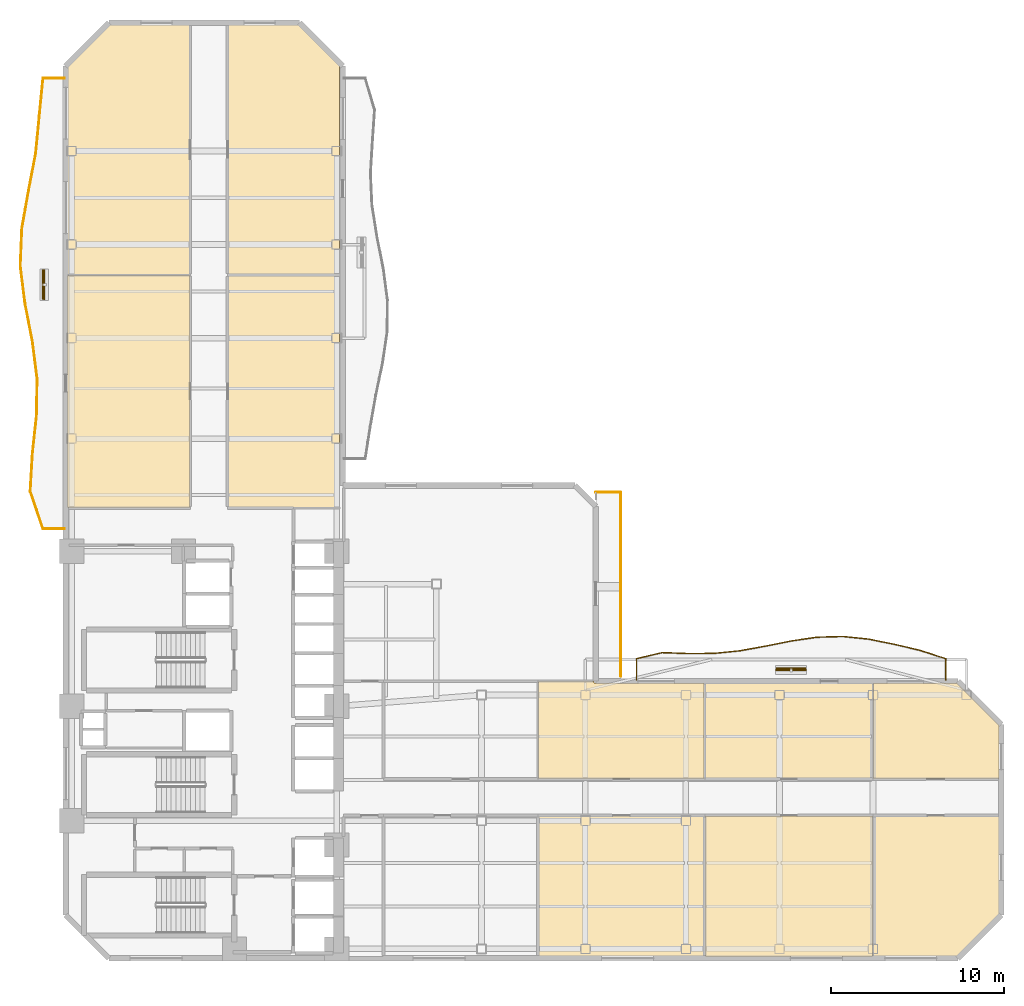
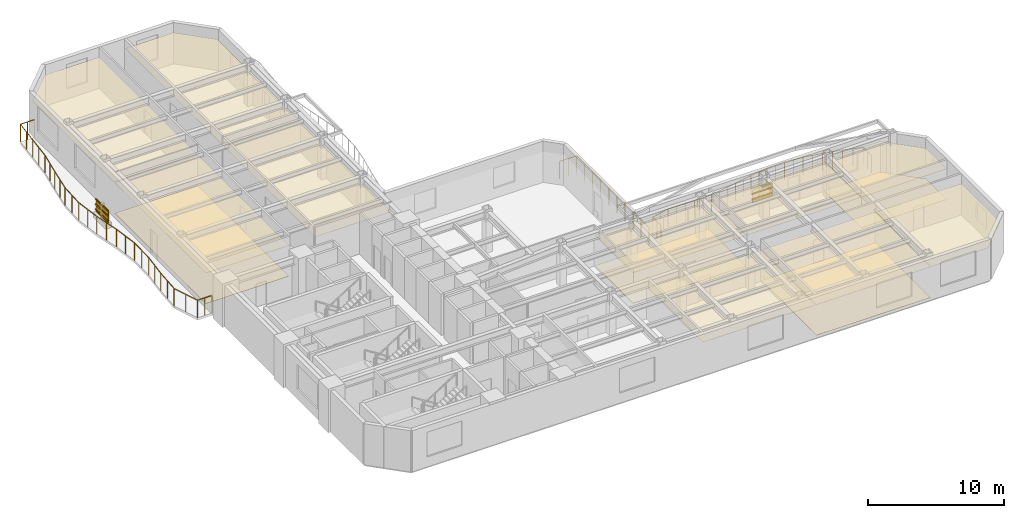
# One storey, part 9 of 10: 14 coverings, 8 shading devices, 4 railings.
"""IFC4 building model written with IfcOpenShell, lengths in metres."""

from ifc_helpers import new_model, si_unit, direction, frame, origin, origin_2d, place, context, subcontext, project, spatial, polyline, rectangle, outline, extrude, material, layer, layer_set, material_profile, profile_set, type_object, element, save


model = new_model("IFC4")

# Units and contexts
model_context = context("Model", 3, precision=1e-05, world=origin(), true_north=direction((0.0, 1.0)))
body_context = subcontext(model_context, "Body", "Model", "MODEL_VIEW")
ifc_project = project(units=[si_unit("LENGTHUNIT", "METRE"), si_unit("AREAUNIT", "SQUARE_METRE"), si_unit("VOLUMEUNIT", "CUBIC_METRE"), si_unit("PLANEANGLEUNIT", "RADIAN"), si_unit("MASSUNIT", "GRAM", prefix="KILO")], contexts=[model_context])

# Site, building, storey
site_placement = place(None, origin())
site = spatial("IfcSite", under=ifc_project, at=site_placement, CompositionType="ELEMENT")
building_placement = place(site_placement, origin())
building = spatial("IfcBuilding", under=site, at=building_placement, Name="Mawjaban Terraces University", CompositionType="ELEMENT")
storey_placement = place(building_placement, frame((0.0, 0.0, 50.5)))
storey = spatial("IfcBuildingStorey", under=building, at=storey_placement, Name="L11", CompositionType="ELEMENT", Elevation=50.5)

# Coverings
ifc_material_1 = material(Name="Acoustic mineral fibre ceiling tile", Category="masonry")
ifc_layer_1 = layer(ifc_material_1, 0.02001953125)
ifc_layer_set_1 = layer_set([ifc_layer_1], Name="Acoustic mineral fibre ceiling tile")
covering_type_1 = type_object("IfcCoveringType", Name="AcousticMineralCeiling_20", PredefinedType="CEILING", material=ifc_layer_set_1)
covering_1_placement = place(storey_placement, frame((0.0, 0.0, 2.75)))
element("IfcCovering", 1, at=covering_1_placement, inside=storey, type_object=covering_type_1, Name="L11 Media Workshop 4 Acoustic Ceiling", PredefinedType="CEILING", context=body_context, shape_type="SweptSolid", body=[
    extrude(outline(polyline([(49.29296875, 0.114990234375), (58.85791015625, 0.114990234375), (58.85791015625, 8.219970703125), (49.29296875, 8.219970703125), (49.29296875, 0.114990234375)])), origin(), (0.0, 0.0, 1.0), 0.02001953125),
])
covering_2_placement = place(storey_placement, frame((0.0, 0.0, 2.75)))
element("IfcCovering", 2, at=covering_2_placement, inside=storey, type_object=covering_type_1, Name="L11 Quiet Reading Room 5 Acoustic Ceiling", PredefinedType="CEILING", context=body_context, shape_type="SweptSolid", body=[
    extrude(outline(polyline([(58.85791015625, 15.885009765625), (52.485107421875, 15.885009765625), (52.485107421875, 15.969970703125), (49.29296875, 15.969970703125), (49.29296875, 10.3798828125), (58.85791015625, 10.3798828125), (58.85791015625, 15.885009765625)])), origin(), (0.0, 0.0, 1.0), 0.02001953125),
])
covering_3_placement = place(storey_placement, frame((0.0, 0.0, 2.75)))
element("IfcCovering", 3, at=covering_3_placement, inside=storey, type_object=covering_type_1, Name="L11 Reading Salon 6 Acoustic Ceiling", PredefinedType="CEILING", context=body_context, shape_type="SweptSolid", body=[
    extrude(outline(polyline([(58.91796875, 0.114990234375), (68.570068359375, 0.114990234375), (68.570068359375, 8.219970703125), (58.91796875, 8.219970703125), (58.91796875, 0.114990234375)])), origin(), (0.0, 0.0, 1.0), 0.02001953125),
])
covering_4_placement = place(storey_placement, frame((0.0, 0.0, 2.75)))
element("IfcCovering", 4, at=covering_4_placement, inside=storey, type_object=covering_type_1, Name="L11 Academic Counseling Room 7 Acoustic Ceiling", PredefinedType="CEILING", context=body_context, shape_type="SweptSolid", body=[
    extrude(outline(polyline([(68.570068359375, 15.885009765625), (58.91796875, 15.885009765625), (58.91796875, 10.3798828125), (68.570068359375, 10.3798828125), (68.570068359375, 15.885009765625)])), origin(), (0.0, 0.0, 1.0), 0.02001953125),
])
covering_5_placement = place(storey_placement, frame((0.0, 0.0, 2.75)))
element("IfcCovering", 5, at=covering_5_placement, inside=storey, type_object=covering_type_1, Name="L11 Academic Counseling Room 8 Acoustic Ceiling", PredefinedType="CEILING", context=body_context, shape_type="SweptSolid", body=[
    extrude(outline(polyline([(68.6298828125, 0.114990234375), (73.452880859375, 0.114990234375), (75.885009765625, 2.547119140625), (75.885009765625, 8.219970703125), (68.6298828125, 8.219970703125), (68.6298828125, 0.114990234375)])), origin(), (0.0, 0.0, 1.0), 0.02001953125),
])
covering_6_placement = place(storey_placement, frame((0.0, 0.0, 2.75)))
element("IfcCovering", 6, at=covering_6_placement, inside=storey, type_object=covering_type_1, Name="L11 Classroom 9 Acoustic Ceiling", PredefinedType="CEILING", context=body_context, shape_type="SweptSolid", body=[
    extrude(outline(polyline([(75.885009765625, 10.3798828125), (75.885009765625, 13.452880859375), (73.452880859375, 15.885009765625), (68.6298828125, 15.885009765625), (68.6298828125, 10.3798828125), (75.885009765625, 10.3798828125)])), origin(), (0.0, 0.0, 1.0), 0.02001953125),
])
covering_7_placement = place(storey_placement, frame((0.0, 0.0, 2.75)))
element("IfcCovering", 7, at=covering_7_placement, inside=storey, type_object=covering_type_1, Name="L11 Seminar Room 10 Acoustic Ceiling", PredefinedType="CEILING", context=body_context, shape_type="SweptSolid", body=[
    extrude(outline(polyline([(22.114990234375, 39.409912109375), (22.114990234375, 26.030029296875), (29.169921875, 26.030029296875), (29.169921875, 39.409912109375), (22.114990234375, 39.409912109375)])), origin(), (0.0, 0.0, 1.0), 0.02001953125),
])
covering_8_placement = place(storey_placement, frame((0.0, 0.0, 2.75)))
element("IfcCovering", 8, at=covering_8_placement, inside=storey, type_object=covering_type_1, Name="L11 Faculty Office 11 Acoustic Ceiling", PredefinedType="CEILING", context=body_context, shape_type="SweptSolid", body=[
    extrude(outline(polyline([(37.820068359375, 26.030029296875), (37.820068359375, 39.409912109375), (31.3798828125, 39.409912109375), (31.3798828125, 26.030029296875), (37.820068359375, 26.030029296875)])), origin(), (0.0, 0.0, 1.0), 0.02001953125),
])
covering_9_placement = place(storey_placement, frame((0.0, 0.0, 2.75)))
element("IfcCovering", 9, at=covering_9_placement, inside=storey, type_object=covering_type_1, Name="L11 Teaching Laboratory 12 Acoustic Ceiling", PredefinedType="CEILING", context=body_context, shape_type="SweptSolid", body=[
    extrude(outline(polyline([(29.169921875, 53.885009765625), (24.547119140625, 53.885009765625), (22.114990234375, 51.452880859375), (22.114990234375, 39.469970703125), (29.169921875, 39.469970703125), (29.169921875, 53.885009765625)])), origin(), (0.0, 0.0, 1.0), 0.02001953125),
])
covering_10_placement = place(storey_placement, frame((0.0, 0.0, 2.75)))
element("IfcCovering", 10, at=covering_10_placement, inside=storey, type_object=covering_type_1, Name="L11 Design Studio 13 Acoustic Ceiling", PredefinedType="CEILING", context=body_context, shape_type="SweptSolid", body=[
    extrude(outline(polyline([(37.820068359375, 51.51806640625), (35.452880859375, 53.885009765625), (31.3798828125, 53.885009765625), (31.3798828125, 39.469970703125), (37.820068359375, 39.469970703125), (37.820068359375, 51.51806640625)])), origin(), (0.0, 0.0, 1.0), 0.02001953125),
])

# Railings
ifc_material_2 = material(Name="Galvanised powder-coated steel S355", Category="steel")
railing_type = type_object("IfcRailingType", Name="BalconyBalustrade_1600", PredefinedType="BALUSTRADE", material=ifc_material_2)
railing_1_placement = place(storey_placement, frame((21.919921875, 24.800048828125, 0.0)))
element("IfcRailing", 11, at=railing_1_placement, inside=storey, type_object=railing_type, Name="L11 Balcony Guardrail west", PredefinedType="BALUSTRADE", context=body_context, shape_type="SweptSolid", body=[
    extrude(rectangle(XDim=0.048095703125, YDim=0.048095703125, at=origin_2d()), frame((0.0, 0.0, 1.576171875), z_axis=(-1.0, 0.0, 0.0), x_axis=(0.0, -1.0, 0.0)), (0.0, 0.0, 1.0), 1.219970703125),
    extrude(rectangle(XDim=0.048095703125, YDim=0.048095703125, at=origin_2d()), frame((-1.219970703125, 0.0, 1.576171875), z_axis=(-0.32076997758, 0.94715712608, 0.0), x_axis=(-0.94715712608, -0.32076997758, 0.0)), (0.0, 0.0, 1.0), 2.287841796875),
    extrude(rectangle(XDim=0.048095703125, YDim=0.048095703125, at=origin_2d()), frame((-1.953857421875, 2.1669921875, 1.576171875), z_axis=(0.057165158423, 0.998364735286, 0.0), x_axis=(-0.998364735286, 0.057165158423, 0.0)), (0.0, 0.0, 1.0), 2.169677734375),
    extrude(rectangle(XDim=0.048095703125, YDim=0.048095703125, at=origin_2d()), frame((-1.829833984375, 4.3330078125, 1.576171875), z_axis=(0.107751142086, 0.994177897249, 0.0), x_axis=(-0.994177897249, 0.107751142086, 0.0)), (0.0, 0.0, 1.0), 2.1796875),
    extrude(rectangle(XDim=0.048095703125, YDim=0.048095703125, at=origin_2d()), frame((-1.594970703125, 6.5, 1.576171875), z_axis=(0.017572770568, 0.999845586946, 0.0), x_axis=(-0.999845586946, 0.017572770568, 0.0)), (0.0, 0.0, 1.0), 2.167236328125),
    extrude(rectangle(XDim=0.048095703125, YDim=0.048095703125, at=origin_2d()), frame((-1.556884765625, 8.6669921875, 1.576171875), z_axis=(-0.126016204068, 0.992028183225, 0.0), x_axis=(-0.992028183225, -0.126016204068, 0.0)), (0.0, 0.0, 1.0), 2.183349609375),
    extrude(rectangle(XDim=0.048095703125, YDim=0.048095703125, at=origin_2d()), frame((-1.83203125, 10.8330078125, 1.576171875), z_axis=(-0.192372709266, 0.981321935315, 0.0), x_axis=(-0.981321935315, -0.192372709266, 0.0)), (0.0, 0.0, 1.0), 2.208251953125),
    extrude(rectangle(XDim=0.048095703125, YDim=0.048095703125, at=origin_2d()), frame((-2.2568359375, 13.0, 1.576171875), z_axis=(-0.123649449448, 0.992325961391, 0.0), x_axis=(-0.992325961391, -0.123649449448, 0.0)), (0.0, 0.0, 1.0), 2.183837890625),
    extrude(rectangle(XDim=0.048095703125, YDim=0.048095703125, at=origin_2d()), frame((-2.52685546875, 15.1669921875, 1.576171875), z_axis=(0.040543732568, 0.999177764839, 0.0), x_axis=(-0.999177764839, 0.040543732568, 0.0)), (0.0, 0.0, 1.0), 2.167724609375),
    extrude(rectangle(XDim=0.048095703125, YDim=0.048095703125, at=origin_2d()), frame((-2.43896484375, 17.3330078125, 1.576171875), z_axis=(0.174500407925, 0.984657101551, 0.0), x_axis=(-0.984657101551, 0.174500407925, 0.0)), (0.0, 0.0, 1.0), 2.20068359375),
    extrude(rectangle(XDim=0.048095703125, YDim=0.048095703125, at=origin_2d()), frame((-2.054931640625, 19.5, 1.576171875), z_axis=(0.188108607076, 0.982148233183, 0.0), x_axis=(-0.982148233183, 0.188108607076, 0.0)), (0.0, 0.0, 1.0), 2.206298828125),
    extrude(rectangle(XDim=0.048095703125, YDim=0.048095703125, at=origin_2d()), frame((-1.639892578125, 21.6669921875, 1.576171875), z_axis=(0.096037346488, 0.995377731356, 0.0), x_axis=(-0.995377731356, 0.096037346488, 0.0)), (0.0, 0.0, 1.0), 2.176025390625),
    extrude(rectangle(XDim=0.048095703125, YDim=0.048095703125, at=origin_2d()), frame((-1.430908203125, 23.8330078125, 1.576171875), z_axis=(0.096883228076, 0.995295755099, 0.0), x_axis=(-0.995295755099, 0.096883228076, 0.0)), (0.0, 0.0, 1.0), 2.17724609375),
    extrude(rectangle(XDim=0.048095703125, YDim=0.048095703125, at=origin_2d()), frame((-1.219970703125, 26.0, 1.576171875), z_axis=(1.0, 0.0, 0.0), x_axis=(0.0, 1.0, 0.0)), (0.0, 0.0, 1.0), 1.219970703125),
    extrude(rectangle(XDim=0.0419921875, YDim=0.0419921875, at=origin_2d()), origin(), (0.0, 0.0, 1.0), 1.552001953125),
    extrude(rectangle(XDim=0.0419921875, YDim=0.0419921875, at=origin_2d()), frame((-0.60986328125, 0.0, 0.0)), (0.0, 0.0, 1.0), 1.552001953125),
    extrude(rectangle(XDim=0.0419921875, YDim=0.0419921875, at=origin_2d()), frame((-1.219970703125, 0.0, 0.0)), (0.0, 0.0, 1.0), 1.552001953125),
    extrude(rectangle(XDim=0.0419921875, YDim=0.0419921875, at=origin_2d()), frame((-1.5869140625, 1.08349609375, 0.0)), (0.0, 0.0, 1.0), 1.552001953125),
    extrude(rectangle(XDim=0.0419921875, YDim=0.0419921875, at=origin_2d()), frame((-1.953857421875, 2.1669921875, 0.0)), (0.0, 0.0, 1.0), 1.552001953125),
    extrude(rectangle(XDim=0.0419921875, YDim=0.0419921875, at=origin_2d()), frame((-1.891845703125, 3.25, 0.0)), (0.0, 0.0, 1.0), 1.552001953125),
    extrude(rectangle(XDim=0.0419921875, YDim=0.0419921875, at=origin_2d()), frame((-1.829833984375, 4.3330078125, 0.0)), (0.0, 0.0, 1.0), 1.552001953125),
    extrude(rectangle(XDim=0.0419921875, YDim=0.0419921875, at=origin_2d()), frame((-1.71240234375, 5.41650390625, 0.0)), (0.0, 0.0, 1.0), 1.552001953125),
    extrude(rectangle(XDim=0.0419921875, YDim=0.0419921875, at=origin_2d()), frame((-1.594970703125, 6.5, 0.0)), (0.0, 0.0, 1.0), 1.552001953125),
    extrude(rectangle(XDim=0.0419921875, YDim=0.0419921875, at=origin_2d()), frame((-1.575927734375, 7.58349609375, 0.0)), (0.0, 0.0, 1.0), 1.552001953125),
    extrude(rectangle(XDim=0.0419921875, YDim=0.0419921875, at=origin_2d()), frame((-1.556884765625, 8.6669921875, 0.0)), (0.0, 0.0, 1.0), 1.552001953125),
    extrude(rectangle(XDim=0.0419921875, YDim=0.0419921875, at=origin_2d()), frame((-1.6943359375, 9.75, 0.0)), (0.0, 0.0, 1.0), 1.552001953125),
    extrude(rectangle(XDim=0.0419921875, YDim=0.0419921875, at=origin_2d()), frame((-1.83203125, 10.8330078125, 0.0)), (0.0, 0.0, 1.0), 1.552001953125),
    extrude(rectangle(XDim=0.0419921875, YDim=0.0419921875, at=origin_2d()), frame((-2.04443359375, 11.91650390625, 0.0)), (0.0, 0.0, 1.0), 1.552001953125),
    extrude(rectangle(XDim=0.0419921875, YDim=0.0419921875, at=origin_2d()), frame((-2.2568359375, 13.0, 0.0)), (0.0, 0.0, 1.0), 1.552001953125),
    extrude(rectangle(XDim=0.0419921875, YDim=0.0419921875, at=origin_2d()), frame((-2.391845703125, 14.08349609375, 0.0)), (0.0, 0.0, 1.0), 1.552001953125),
    extrude(rectangle(XDim=0.0419921875, YDim=0.0419921875, at=origin_2d()), frame((-2.52685546875, 15.1669921875, 0.0)), (0.0, 0.0, 1.0), 1.552001953125),
    extrude(rectangle(XDim=0.0419921875, YDim=0.0419921875, at=origin_2d()), frame((-2.48291015625, 16.25, 0.0)), (0.0, 0.0, 1.0), 1.552001953125),
    extrude(rectangle(XDim=0.0419921875, YDim=0.0419921875, at=origin_2d()), frame((-2.43896484375, 17.3330078125, 0.0)), (0.0, 0.0, 1.0), 1.552001953125),
    extrude(rectangle(XDim=0.0419921875, YDim=0.0419921875, at=origin_2d()), frame((-2.2470703125, 18.41650390625, 0.0)), (0.0, 0.0, 1.0), 1.552001953125),
    extrude(rectangle(XDim=0.0419921875, YDim=0.0419921875, at=origin_2d()), frame((-2.054931640625, 19.5, 0.0)), (0.0, 0.0, 1.0), 1.552001953125),
    extrude(rectangle(XDim=0.0419921875, YDim=0.0419921875, at=origin_2d()), frame((-1.847412109375, 20.58349609375, 0.0)), (0.0, 0.0, 1.0), 1.552001953125),
    extrude(rectangle(XDim=0.0419921875, YDim=0.0419921875, at=origin_2d()), frame((-1.639892578125, 21.6669921875, 0.0)), (0.0, 0.0, 1.0), 1.552001953125),
    extrude(rectangle(XDim=0.0419921875, YDim=0.0419921875, at=origin_2d()), frame((-1.535400390625, 22.75, 0.0)), (0.0, 0.0, 1.0), 1.552001953125),
    extrude(rectangle(XDim=0.0419921875, YDim=0.0419921875, at=origin_2d()), frame((-1.430908203125, 23.8330078125, 0.0)), (0.0, 0.0, 1.0), 1.552001953125),
    extrude(rectangle(XDim=0.0419921875, YDim=0.0419921875, at=origin_2d()), frame((-1.325439453125, 24.91650390625, 0.0)), (0.0, 0.0, 1.0), 1.552001953125),
    extrude(rectangle(XDim=0.0419921875, YDim=0.0419921875, at=origin_2d()), frame((-1.219970703125, 26.0, 0.0)), (0.0, 0.0, 1.0), 1.552001953125),
    extrude(rectangle(XDim=0.0419921875, YDim=0.0419921875, at=origin_2d()), frame((-0.60986328125, 26.0, 0.0)), (0.0, 0.0, 1.0), 1.552001953125),
    extrude(rectangle(XDim=0.0419921875, YDim=0.0419921875, at=origin_2d()), frame((0.0, 26.0, 0.0)), (0.0, 0.0, 1.0), 1.552001953125),
])
railing_2_placement = place(storey_placement, frame((54.949951171875, 16.080078125, 0.0)))
element("IfcRailing", 12, at=railing_2_placement, inside=storey, type_object=railing_type, Name="L11 Balcony Guardrail inner_north", PredefinedType="BALUSTRADE", context=body_context, shape_type="SweptSolid", body=[
    extrude(rectangle(XDim=0.048095703125, YDim=0.048095703125, at=origin_2d()), frame((0.0, 0.0, 1.576171875), z_axis=(0.0, 1.0, 0.0), x_axis=(-1.0, 0.0, 0.0)), (0.0, 0.0, 1.0), 1.219970703125),
    extrude(rectangle(XDim=0.048095703125, YDim=0.048095703125, at=origin_2d()), frame((0.0, 1.219970703125, 1.576171875), z_axis=(0.973135852733, 0.230231648834, 0.0), x_axis=(-0.230231648834, 0.973135852733, 0.0)), (0.0, 0.0, 1.0), 1.529052734375),
    extrude(rectangle(XDim=0.048095703125, YDim=0.048095703125, at=origin_2d()), frame((1.488037109375, 1.572021484375, 1.576171875), z_axis=(0.999312359344, -0.037078409656, 0.0), x_axis=(0.037078409656, 0.999312359344, 0.0)), (0.0, 0.0, 1.0), 1.488037109375),
    extrude(rectangle(XDim=0.048095703125, YDim=0.048095703125, at=origin_2d()), frame((2.97509765625, 1.516845703125, 1.576171875), z_axis=(0.999981574723, 0.006070437779, 0.0), x_axis=(-0.006070437779, 0.999981574723, 0.0)), (0.0, 0.0, 1.0), 1.488037109375),
    extrude(rectangle(XDim=0.048095703125, YDim=0.048095703125, at=origin_2d()), frame((4.463134765625, 1.52587890625, 1.576171875), z_axis=(0.995021000224, 0.099665486065, 0.0), x_axis=(-0.099665486065, 0.995021000224, 0.0)), (0.0, 0.0, 1.0), 1.494140625),
    extrude(rectangle(XDim=0.048095703125, YDim=0.048095703125, at=origin_2d()), frame((5.949951171875, 1.6748046875, 1.576171875), z_axis=(0.984045094662, 0.177919227944, 0.0), x_axis=(-0.177919227944, 0.984045094662, 0.0)), (0.0, 0.0, 1.0), 1.51220703125),
    extrude(rectangle(XDim=0.048095703125, YDim=0.048095703125, at=origin_2d()), frame((7.43798828125, 1.94384765625, 1.576171875), z_axis=(0.980245005349, 0.197787081197, 0.0), x_axis=(-0.197787081197, 0.980245005349, 0.0)), (0.0, 0.0, 1.0), 1.51708984375),
    extrude(rectangle(XDim=0.048095703125, YDim=0.048095703125, at=origin_2d()), frame((8.925048828125, 2.243896484375, 1.576171875), z_axis=(0.989608728332, 0.143786525131, 0.0), x_axis=(-0.143786525131, 0.989608728332, 0.0)), (0.0, 0.0, 1.0), 1.502685546875),
    extrude(rectangle(XDim=0.048095703125, YDim=0.048095703125, at=origin_2d()), frame((10.412109375, 2.4599609375, 1.576171875), z_axis=(0.999583345163, 0.028864096595, 0.0), x_axis=(-0.028864096595, 0.999583345163, 0.0)), (0.0, 0.0, 1.0), 1.48876953125),
    extrude(rectangle(XDim=0.048095703125, YDim=0.048095703125, at=origin_2d()), frame((11.900146484375, 2.5029296875, 1.576171875), z_axis=(0.994814947194, -0.101701626535, 0.0), x_axis=(0.101701626535, 0.994814947194, 0.0)), (0.0, 0.0, 1.0), 1.49560546875),
    extrude(rectangle(XDim=0.048095703125, YDim=0.048095703125, at=origin_2d()), frame((13.387939453125, 2.350830078125, 1.576171875), z_axis=(0.980400733725, -0.197013708435, 0.0), x_axis=(0.197013708435, 0.980400733725, 0.0)), (0.0, 0.0, 1.0), 1.516845703125),
    extrude(rectangle(XDim=0.048095703125, YDim=0.048095703125, at=origin_2d()), frame((14.875, 2.052001953125, 1.576171875), z_axis=(0.973245060976, -0.229769561268, 0.0), x_axis=(0.229769561268, 0.973245060976, 0.0)), (0.0, 0.0, 1.0), 1.52783203125),
    extrude(rectangle(XDim=0.048095703125, YDim=0.048095703125, at=origin_2d()), frame((16.362060546875, 1.700927734375, 1.576171875), z_axis=(0.951531890931, -0.307550094362, 0.0), x_axis=(0.307550094362, 0.951531890931, 0.0)), (0.0, 0.0, 1.0), 1.563720703125),
    extrude(rectangle(XDim=0.048095703125, YDim=0.048095703125, at=origin_2d()), frame((17.85009765625, 1.219970703125, 1.576171875), z_axis=(0.0, -1.0, 0.0), x_axis=(1.0, 0.0, 0.0)), (0.0, 0.0, 1.0), 1.219970703125),
    extrude(rectangle(XDim=0.0419921875, YDim=0.0419921875, at=origin_2d()), origin(), (0.0, 0.0, 1.0), 1.552001953125),
    extrude(rectangle(XDim=0.0419921875, YDim=0.0419921875, at=origin_2d()), frame((0.0, 0.60986328125, 0.0)), (0.0, 0.0, 1.0), 1.552001953125),
    extrude(rectangle(XDim=0.0419921875, YDim=0.0419921875, at=origin_2d()), frame((0.0, 1.219970703125, 0.0)), (0.0, 0.0, 1.0), 1.552001953125),
    extrude(rectangle(XDim=0.0419921875, YDim=0.0419921875, at=origin_2d()), frame((0.744140625, 1.39599609375, 0.0)), (0.0, 0.0, 1.0), 1.552001953125),
    extrude(rectangle(XDim=0.0419921875, YDim=0.0419921875, at=origin_2d()), frame((1.488037109375, 1.572021484375, 0.0)), (0.0, 0.0, 1.0), 1.552001953125),
    extrude(rectangle(XDim=0.0419921875, YDim=0.0419921875, at=origin_2d()), frame((2.2314453125, 1.54443359375, 0.0)), (0.0, 0.0, 1.0), 1.552001953125),
    extrude(rectangle(XDim=0.0419921875, YDim=0.0419921875, at=origin_2d()), frame((2.97509765625, 1.516845703125, 0.0)), (0.0, 0.0, 1.0), 1.552001953125),
    extrude(rectangle(XDim=0.0419921875, YDim=0.0419921875, at=origin_2d()), frame((3.71923828125, 1.521484375, 0.0)), (0.0, 0.0, 1.0), 1.552001953125),
    extrude(rectangle(XDim=0.0419921875, YDim=0.0419921875, at=origin_2d()), frame((4.463134765625, 1.52587890625, 0.0)), (0.0, 0.0, 1.0), 1.552001953125),
    extrude(rectangle(XDim=0.0419921875, YDim=0.0419921875, at=origin_2d()), frame((5.20654296875, 1.600341796875, 0.0)), (0.0, 0.0, 1.0), 1.552001953125),
    extrude(rectangle(XDim=0.0419921875, YDim=0.0419921875, at=origin_2d()), frame((5.949951171875, 1.6748046875, 0.0)), (0.0, 0.0, 1.0), 1.552001953125),
    extrude(rectangle(XDim=0.0419921875, YDim=0.0419921875, at=origin_2d()), frame((6.69384765625, 1.809326171875, 0.0)), (0.0, 0.0, 1.0), 1.552001953125),
    extrude(rectangle(XDim=0.0419921875, YDim=0.0419921875, at=origin_2d()), frame((7.43798828125, 1.94384765625, 0.0)), (0.0, 0.0, 1.0), 1.552001953125),
    extrude(rectangle(XDim=0.0419921875, YDim=0.0419921875, at=origin_2d()), frame((8.181640625, 2.09375, 0.0)), (0.0, 0.0, 1.0), 1.552001953125),
    extrude(rectangle(XDim=0.0419921875, YDim=0.0419921875, at=origin_2d()), frame((8.925048828125, 2.243896484375, 0.0)), (0.0, 0.0, 1.0), 1.552001953125),
    extrude(rectangle(XDim=0.0419921875, YDim=0.0419921875, at=origin_2d()), frame((9.66845703125, 2.35205078125, 0.0)), (0.0, 0.0, 1.0), 1.552001953125),
    extrude(rectangle(XDim=0.0419921875, YDim=0.0419921875, at=origin_2d()), frame((10.412109375, 2.4599609375, 0.0)), (0.0, 0.0, 1.0), 1.552001953125),
    extrude(rectangle(XDim=0.0419921875, YDim=0.0419921875, at=origin_2d()), frame((11.15625, 2.4814453125, 0.0)), (0.0, 0.0, 1.0), 1.552001953125),
    extrude(rectangle(XDim=0.0419921875, YDim=0.0419921875, at=origin_2d()), frame((11.900146484375, 2.5029296875, 0.0)), (0.0, 0.0, 1.0), 1.552001953125),
    extrude(rectangle(XDim=0.0419921875, YDim=0.0419921875, at=origin_2d()), frame((12.64404296875, 2.4267578125, 0.0)), (0.0, 0.0, 1.0), 1.552001953125),
    extrude(rectangle(XDim=0.0419921875, YDim=0.0419921875, at=origin_2d()), frame((13.387939453125, 2.350830078125, 0.0)), (0.0, 0.0, 1.0), 1.552001953125),
    extrude(rectangle(XDim=0.0419921875, YDim=0.0419921875, at=origin_2d()), frame((14.13134765625, 2.201416015625, 0.0)), (0.0, 0.0, 1.0), 1.552001953125),
    extrude(rectangle(XDim=0.0419921875, YDim=0.0419921875, at=origin_2d()), frame((14.875, 2.052001953125, 0.0)), (0.0, 0.0, 1.0), 1.552001953125),
    extrude(rectangle(XDim=0.0419921875, YDim=0.0419921875, at=origin_2d()), frame((15.61865234375, 1.87646484375, 0.0)), (0.0, 0.0, 1.0), 1.552001953125),
    extrude(rectangle(XDim=0.0419921875, YDim=0.0419921875, at=origin_2d()), frame((16.362060546875, 1.700927734375, 0.0)), (0.0, 0.0, 1.0), 1.552001953125),
    extrude(rectangle(XDim=0.0419921875, YDim=0.0419921875, at=origin_2d()), frame((17.10595703125, 1.46044921875, 0.0)), (0.0, 0.0, 1.0), 1.552001953125),
    extrude(rectangle(XDim=0.0419921875, YDim=0.0419921875, at=origin_2d()), frame((17.85009765625, 1.219970703125, 0.0)), (0.0, 0.0, 1.0), 1.552001953125),
    extrude(rectangle(XDim=0.0419921875, YDim=0.0419921875, at=origin_2d()), frame((17.85009765625, 0.60986328125, 0.0)), (0.0, 0.0, 1.0), 1.552001953125),
    extrude(rectangle(XDim=0.0419921875, YDim=0.0419921875, at=origin_2d()), frame((17.85009765625, 0.0, 0.0)), (0.0, 0.0, 1.0), 1.552001953125),
])
railing_3_placement = place(storey_placement, frame((54.050048828125, 16.280029296875, 0.0)))
element("IfcRailing", 13, at=railing_3_placement, inside=storey, type_object=railing_type, Name="L11 Terrace Guardrail TER-L11-CLIMB.1", PredefinedType="BALUSTRADE", context=body_context, shape_type="SweptSolid", body=[
    extrude(rectangle(XDim=0.048095703125, YDim=0.048095703125, at=origin_2d()), frame((0.0, 0.0, 1.576171875), z_axis=(0.0, 1.0, 0.0), x_axis=(-1.0, 0.0, 0.0)), (0.0, 0.0, 1.0), 10.614990234375),
    extrude(rectangle(XDim=0.0419921875, YDim=0.0419921875, at=origin_2d()), origin(), (0.0, 0.0, 1.0), 1.552001953125),
    extrude(rectangle(XDim=0.0419921875, YDim=0.0419921875, at=origin_2d()), frame((0.0, 1.179443359375, 0.0)), (0.0, 0.0, 1.0), 1.552001953125),
    extrude(rectangle(XDim=0.0419921875, YDim=0.0419921875, at=origin_2d()), frame((0.0, 2.35888671875, 0.0)), (0.0, 0.0, 1.0), 1.552001953125),
    extrude(rectangle(XDim=0.0419921875, YDim=0.0419921875, at=origin_2d()), frame((0.0, 3.538330078125, 0.0)), (0.0, 0.0, 1.0), 1.552001953125),
    extrude(rectangle(XDim=0.0419921875, YDim=0.0419921875, at=origin_2d()), frame((0.0, 4.7177734375, 0.0)), (0.0, 0.0, 1.0), 1.552001953125),
    extrude(rectangle(XDim=0.0419921875, YDim=0.0419921875, at=origin_2d()), frame((0.0, 5.897216796875, 0.0)), (0.0, 0.0, 1.0), 1.552001953125),
    extrude(rectangle(XDim=0.0419921875, YDim=0.0419921875, at=origin_2d()), frame((0.0, 7.07666015625, 0.0)), (0.0, 0.0, 1.0), 1.552001953125),
    extrude(rectangle(XDim=0.0419921875, YDim=0.0419921875, at=origin_2d()), frame((0.0, 8.256103515625, 0.0)), (0.0, 0.0, 1.0), 1.552001953125),
    extrude(rectangle(XDim=0.0419921875, YDim=0.0419921875, at=origin_2d()), frame((0.0, 9.435546875, 0.0)), (0.0, 0.0, 1.0), 1.552001953125),
    extrude(rectangle(XDim=0.0419921875, YDim=0.0419921875, at=origin_2d()), frame((0.0, 10.614990234375, 0.0)), (0.0, 0.0, 1.0), 1.552001953125),
])
railing_4_placement = place(storey_placement, frame((54.050048828125, 26.89501953125, 0.0)))
element("IfcRailing", 14, at=railing_4_placement, inside=storey, type_object=railing_type, Name="L11 Terrace Guardrail TER-L11-CLIMB.2", PredefinedType="BALUSTRADE", context=body_context, shape_type="SweptSolid", body=[
    extrude(rectangle(XDim=0.048095703125, YDim=0.048095703125, at=origin_2d()), frame((0.0, 0.0, 1.576171875), z_axis=(-1.0, 0.0, 0.0), x_axis=(0.0, -1.0, 0.0)), (0.0, 0.0, 1.0), 1.449951171875),
    extrude(rectangle(XDim=0.0419921875, YDim=0.0419921875, at=origin_2d()), origin(), (0.0, 0.0, 1.0), 1.552001953125),
    extrude(rectangle(XDim=0.0419921875, YDim=0.0419921875, at=origin_2d()), frame((-0.72509765625, 0.0, 0.0)), (0.0, 0.0, 1.0), 1.552001953125),
    extrude(rectangle(XDim=0.0419921875, YDim=0.0419921875, at=origin_2d()), frame((-1.449951171875, 0.0, 0.0)), (0.0, 0.0, 1.0), 1.552001953125),
])

# Shading devices
ifc_material_3 = material(Name="Glazed architectural terracotta ceramic", Category="masonry")
ifc_material_profile = material_profile(ifc_material_3, rectangle(XDim=0.06494140625, YDim=0.110107421875, at=origin_2d()), Name="TBAG110X65")
ifc_profile_set = profile_set([ifc_material_profile], Name="Glazed architectural terracotta ceramic")
shading_device_type_1 = type_object("IfcShadingDeviceType", Name="TerracottaBaguette_110x65", PredefinedType="USERDEFINED", material=ifc_profile_set)
for number, where, z_axis, x_axis, name in (
    (15, (20.68408203125, 38.032958984375, 0.679931640625), (0.0, 1.0, 0.0), (-1.0, 0.0, 0.0), "L11 Horizontal Terracotta Baguette west.1"),
    (16, (20.68408203125, 38.032958984375, 1.14990234375), (0.0, 1.0, 0.0), (-1.0, 0.0, 0.0), "L11 Horizontal Terracotta Baguette west.2"),
    (17, (20.68408203125, 38.032958984375, 1.6201171875), (0.0, 1.0, 0.0), (-1.0, 0.0, 0.0), "L11 Horizontal Terracotta Baguette west.3"),
):
    element("IfcShadingDevice", number, at=place(storey_placement, frame(where, z_axis=z_axis, x_axis=x_axis)), inside=storey, type_object=shading_device_type_1, Name=name, ObjectType="BAGUETTE", PredefinedType="USERDEFINED", context=body_context, shape_type="SweptSolid", body=[
        extrude(rectangle(XDim=0.06494140625, YDim=0.110107421875, at=origin_2d()), origin(), (0.0, 0.0, 1.0), 1.699951171875),
    ])
for number, where, z_axis, x_axis, name in (
    (18, (63.02490234375, 16.72998046875, 0.679931640625), (1.0, 0.0, 0.0), (0.0, 1.0, 0.0), "L11 Horizontal Terracotta Baguette inner_north.1"),
    (19, (63.02490234375, 16.72998046875, 1.14990234375), (1.0, 0.0, 0.0), (0.0, 1.0, 0.0), "L11 Horizontal Terracotta Baguette inner_north.2"),
    (20, (63.02490234375, 16.72998046875, 1.6201171875), (1.0, 0.0, 0.0), (0.0, 1.0, 0.0), "L11 Horizontal Terracotta Baguette inner_north.3"),
):
    element("IfcShadingDevice", number, at=place(storey_placement, frame(where, z_axis=z_axis, x_axis=x_axis)), inside=storey, type_object=shading_device_type_1, Name=name, ObjectType="BAGUETTE", PredefinedType="USERDEFINED", context=body_context, shape_type="SweptSolid", body=[
        extrude(rectangle(XDim=0.06494140625, YDim=0.110107421875, at=origin_2d()), origin(), (0.0, 0.0, 1.0), 1.7001953125),
    ])
ifc_layer_2 = layer(ifc_material_3, 0.080078125)
ifc_layer_set_2 = layer_set([ifc_layer_2], Name="Glazed architectural terracotta ceramic")
shading_device_type_2 = type_object("IfcShadingDeviceType", Name="TerracottaScreen_Perforated", PredefinedType="USERDEFINED", material=ifc_layer_set_2)
for number, where, z_axis, x_axis, name in (
    (21, (20.76904296875, 38.883056640625, 0.43994140625), (0.0, 0.0, 1.0), (0.0, 1.0, 0.0), "L11 Balcony Perforated Terracotta Screen west"),
    (22, (63.875, 16.64501953125, 0.43994140625), (0.0, 0.0, 1.0), (1.0, 0.0, 0.0), "L11 Balcony Perforated Terracotta Screen inner_north"),
):
    element("IfcShadingDevice", number, at=place(storey_placement, frame(where, z_axis=z_axis, x_axis=x_axis)), inside=storey, type_object=shading_device_type_2, Name=name, ObjectType="SCREEN", PredefinedType="USERDEFINED", context=body_context, shape_type="SweptSolid", body=[
        extrude(rectangle(XDim=1.75, YDim=0.080078125, at=origin_2d()), origin(), (0.0, 0.0, 1.0), 1.14990234375),
    ])

# Coverings
ifc_material_4 = material(Name="Polished Hijazi granite terrazzo flooring", Category="masonry")
ifc_layer_3 = layer(ifc_material_4, 0.02490234375)
ifc_layer_set_3 = layer_set([ifc_layer_3], Name="Polished Hijazi granite terrazzo flooring")
covering_type_2 = type_object("IfcCoveringType", Name="TerrazzoConcourseFlooring_25", PredefinedType="FLOORING", material=ifc_layer_set_3)
covering_11_placement = place(storey_placement, origin())
element("IfcCovering", 23, at=covering_11_placement, inside=storey, type_object=covering_type_2, Name="L11 Quiet Reading Room 5 Terrazzo Flooring", PredefinedType="FLOORING", context=body_context, shape_type="SweptSolid", body=[
    extrude(outline(polyline([(58.85791015625, 15.885009765625), (52.485107421875, 15.885009765625), (52.485107421875, 15.969970703125), (49.29296875, 15.969970703125), (49.29296875, 10.3798828125), (58.85791015625, 10.3798828125), (58.85791015625, 15.885009765625)])), origin(), (0.0, 0.0, 1.0), 0.02490234375),
])
covering_12_placement = place(storey_placement, origin())
element("IfcCovering", 24, at=covering_12_placement, inside=storey, type_object=covering_type_2, Name="L11 Reading Salon 6 Terrazzo Flooring", PredefinedType="FLOORING", context=body_context, shape_type="SweptSolid", body=[
    extrude(outline(polyline([(58.91796875, 0.114990234375), (68.570068359375, 0.114990234375), (68.570068359375, 8.219970703125), (58.91796875, 8.219970703125), (58.91796875, 0.114990234375)])), origin(), (0.0, 0.0, 1.0), 0.02490234375),
])
covering_13_placement = place(storey_placement, origin())
element("IfcCovering", 25, at=covering_13_placement, inside=storey, type_object=covering_type_2, Name="L11 Classroom 9 Terrazzo Flooring", PredefinedType="FLOORING", context=body_context, shape_type="SweptSolid", body=[
    extrude(outline(polyline([(75.885009765625, 10.3798828125), (75.885009765625, 13.452880859375), (73.452880859375, 15.885009765625), (68.6298828125, 15.885009765625), (68.6298828125, 10.3798828125), (75.885009765625, 10.3798828125)])), origin(), (0.0, 0.0, 1.0), 0.02490234375),
])
covering_14_placement = place(storey_placement, origin())
element("IfcCovering", 26, at=covering_14_placement, inside=storey, type_object=covering_type_2, Name="L11 Seminar Room 10 Terrazzo Flooring", PredefinedType="FLOORING", context=body_context, shape_type="SweptSolid", body=[
    extrude(outline(polyline([(22.114990234375, 39.409912109375), (22.114990234375, 26.030029296875), (29.169921875, 26.030029296875), (29.169921875, 39.409912109375), (22.114990234375, 39.409912109375)])), origin(), (0.0, 0.0, 1.0), 0.02490234375),
])

save(model, "model.ifc")
